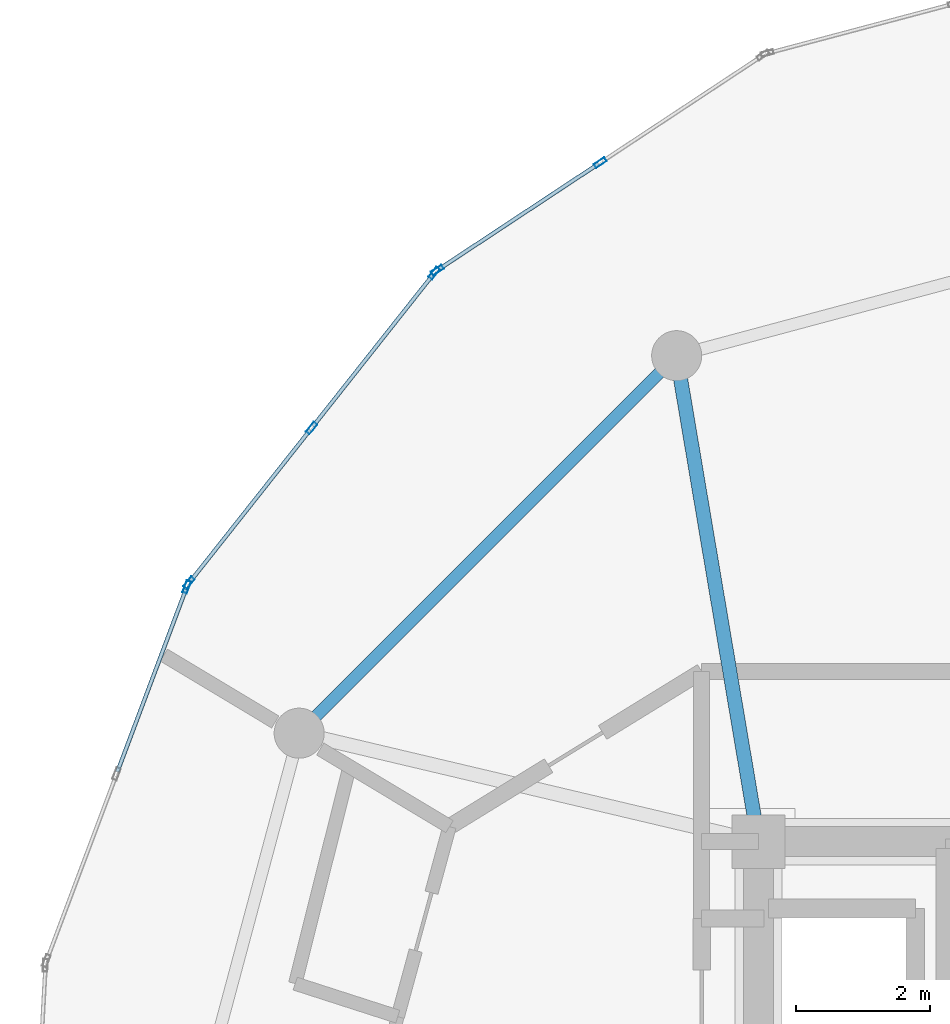
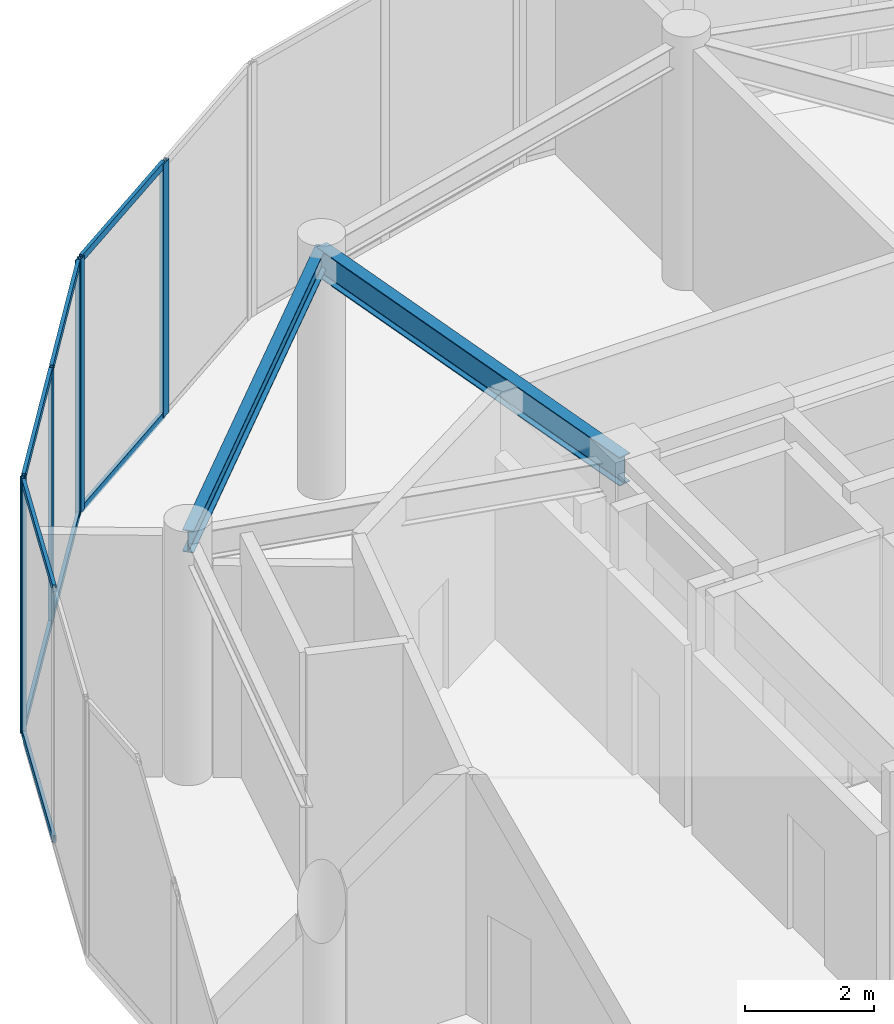
# One storey, part 11 of 21: 14 members, 2 beams, 3 elements without a shape of their own.
"""IFC4 building model written with IfcOpenShell, lengths in metres."""

import ifcopenshell
import ifcopenshell.guid

model = None  # the IFC model being written
_history = None  # IfcOwnerHistory: only IFC2X3 demands one
_inside = {}  # id of a spatial element -> (the spatial element, [elements in it])
_under = {}  # id of a project, library or spatial element -> (it, [spatial elements below it])
_declared = {}  # id of a project -> (the project, [libraries it declares])
_typed = {}  # id of a type object -> (the type object, [elements of that type])
_made_of = {}  # id of a material, layer set ... -> (it, [elements and type objects made of it])


def new_model(schema):
    """Start an empty IFC model of exactly this schema.

    Asked for "IFC4X3", IfcOpenShell would pick the latest addendum, in which some entities
    have other attributes; the version numbers below select the first issue.
    IFC2X3 requires an IfcOwnerHistory on every rooted entity: one is made here for all.
    """
    global model, _history
    if schema == "IFC4X3":
        model = ifcopenshell.file(schema_version=(4, 3, 0, 0))
    else:
        model = ifcopenshell.file(schema=schema)
    _inside.clear()
    _under.clear()
    _declared.clear()
    _typed.clear()
    _made_of.clear()
    _history = None
    if model.schema == "IFC2X3":
        org = make("IfcOrganization", Name="unknown")
        user = make(
            "IfcPersonAndOrganization",
            ThePerson=make("IfcPerson", FamilyName="unknown"),
            TheOrganization=org,
        )
        app = make(
            "IfcApplication",
            ApplicationDeveloper=org,
            Version="unknown",
            ApplicationFullName="unknown",
            ApplicationIdentifier="unknown",
        )
        _history = make(
            "IfcOwnerHistory",
            OwningUser=user,
            OwningApplication=app,
            ChangeAction="ADDED",
            CreationDate=0,
        )
    return model


def make(cls, **values):
    """One entity of the class cls with the attributes given. An attribute that is None is left unset."""
    return model.create_entity(
        cls, **{name: value for name, value in values.items() if value is not None}
    )


def rooted(cls, **values):
    """An entity with a GlobalId (a new one), such as an element, a storey or a relation."""
    return make(cls, GlobalId=ifcopenshell.guid.new(), OwnerHistory=_history, **values)


def si_unit(unit_type, name, prefix=None):
    """IfcSIUnit, for example si_unit("LENGTHUNIT", "METRE", prefix="MILLI")."""
    return make("IfcSIUnit", UnitType=unit_type, Prefix=prefix, Name=name)


def assignment(units):
    """IfcUnitAssignment: the units of a project."""
    return None if units is None else make("IfcUnitAssignment", Units=units)


def point(xyz):
    """IfcCartesianPoint."""
    return None if xyz is None else make("IfcCartesianPoint", Coordinates=xyz)


def direction(xyz):
    """IfcDirection."""
    return None if xyz is None else make("IfcDirection", DirectionRatios=xyz)


def frame(location, z_axis=None, x_axis=None):
    """IfcAxis2Placement3D, a coordinate frame: its origin and axes. An axis left out is left unset."""
    return make(
        "IfcAxis2Placement3D",
        Location=point(location),
        Axis=direction(z_axis),
        RefDirection=direction(x_axis),
    )


def frame_2d(location, x_axis=None):
    """IfcAxis2Placement2D, a coordinate frame in the plane: its origin and x axis."""
    return make(
        "IfcAxis2Placement2D", Location=point(location), RefDirection=direction(x_axis)
    )


def origin():
    """The frame at (0, 0, 0) with its axes left unset."""
    return frame((0.0, 0.0, 0.0))


def origin_2d():
    """The frame at (0, 0) in the plane with its x axis left unset."""
    return frame_2d((0.0, 0.0))


def place(relative_to, where):
    """IfcLocalPlacement: puts the frame where relative to a parent placement (None: the world)."""
    return make(
        "IfcLocalPlacement", PlacementRelTo=relative_to, RelativePlacement=where
    )


def context(
    kind, dimensions, precision=None, world=None, true_north=None, identifier=None
):
    """IfcGeometricRepresentationContext, for example the 3D "Model" context."""
    return make(
        "IfcGeometricRepresentationContext",
        ContextIdentifier=identifier,
        ContextType=kind,
        CoordinateSpaceDimension=dimensions,
        Precision=precision,
        WorldCoordinateSystem=world,
        TrueNorth=true_north,
    )


def subcontext(parent, identifier, kind, view, scale=None):
    """IfcGeometricRepresentationSubContext, for example "Body" below "Model"."""
    return make(
        "IfcGeometricRepresentationSubContext",
        ContextIdentifier=identifier,
        ContextType=kind,
        ParentContext=parent,
        TargetScale=scale,
        TargetView=view,
    )


def project(units=None, contexts=None):
    """IfcProject with its units and contexts."""
    return rooted(
        "IfcProject",
        Name="project",
        RepresentationContexts=contexts,
        UnitsInContext=assignment(units),
    )


def spatial(cls, under=None, at=None, **own):
    """A site, building, storey or space (cls), placed at a placement, below another one or the project."""
    s = rooted(cls, ObjectPlacement=at, **own)
    if under is not None:
        _under.setdefault(under.id(), (under, []))[1].append(s)
    return s


def profile(cls, at=None, kind="AREA", **sizes):
    """A parametric profile (cls). Its sizes go by their IFC names, for example OverallWidth=200.0."""
    return make(cls, ProfileType=kind, Position=at, **sizes)


def hollow_rectangle(**sizes):
    """IfcRectangleHollowProfileDef."""
    return profile("IfcRectangleHollowProfileDef", **sizes)


def i_section(**sizes):
    """IfcIShapeProfileDef."""
    return profile("IfcIShapeProfileDef", **sizes)


def extrude(swept, where, along, depth):
    """IfcExtrudedAreaSolid: the profile swept, set in the frame where, extruded along a direction by depth."""
    return make(
        "IfcExtrudedAreaSolid",
        SweptArea=swept,
        Position=where,
        ExtrudedDirection=direction(along),
        Depth=depth,
    )


def shape(context_of_items, identifier, shape_type, items):
    """IfcShapeRepresentation: the items that make up one representation, for example the "Body"."""
    return make(
        "IfcShapeRepresentation",
        ContextOfItems=context_of_items,
        RepresentationIdentifier=identifier,
        RepresentationType=shape_type,
        Items=items,
    )


def source(mapping_origin, context_of_items, identifier, shape_type, items):
    """IfcRepresentationMap: a shape defined once, which mapped items show again and again."""
    return make(
        "IfcRepresentationMap",
        MappingOrigin=mapping_origin,
        MappedRepresentation=shape(context_of_items, identifier, shape_type, items),
    )


def transform(
    local_origin,
    x_axis=None,
    y_axis=None,
    z_axis=None,
    scale=None,
    scale2=None,
    scale3=None,
    uniform=True,
):
    """IfcCartesianTransformationOperator3D, or its non-uniform kind. x_axis, y_axis, z_axis: its Axis1, 2, 3."""
    if uniform:
        return make(
            "IfcCartesianTransformationOperator3D",
            Axis1=direction(x_axis),
            Axis2=direction(y_axis),
            LocalOrigin=point(local_origin),
            Scale=scale,
            Axis3=direction(z_axis),
        )
    return make(
        "IfcCartesianTransformationOperator3DnonUniform",
        Axis1=direction(x_axis),
        Axis2=direction(y_axis),
        LocalOrigin=point(local_origin),
        Scale=scale,
        Axis3=direction(z_axis),
        Scale2=scale2,
        Scale3=scale3,
    )


def mapped(mapping_source, mapping_target):
    """IfcMappedItem: shows the shape of a source again, moved by a transform."""
    return make(
        "IfcMappedItem", MappingSource=mapping_source, MappingTarget=mapping_target
    )


def material(Name=None, Category=None):
    """IfcMaterial."""
    return make("IfcMaterial", Name=Name, Category=Category)


def layer(
    of_material, thickness, ventilated=None, Name=None, Category=None, Priority=None
):
    """IfcMaterialLayer: one layer of a wall or slab, of a material (None: an air gap)."""
    return make(
        "IfcMaterialLayer",
        Material=of_material,
        LayerThickness=thickness,
        IsVentilated=ventilated,
        Name=Name,
        Category=Category,
        Priority=Priority,
    )


def layer_set(layers, Name=None):
    """IfcMaterialLayerSet."""
    return make("IfcMaterialLayerSet", MaterialLayers=layers, LayerSetName=Name)


def material_profile(
    of_material, cross_section, Name=None, Category=None, Priority=None
):
    """IfcMaterialProfile: a cross section and its material."""
    return make(
        "IfcMaterialProfile",
        Name=Name,
        Material=of_material,
        Profile=cross_section,
        Priority=Priority,
        Category=Category,
    )


def profile_set(profiles, Name=None, composite=None):
    """IfcMaterialProfileSet."""
    return make(
        "IfcMaterialProfileSet",
        Name=Name,
        MaterialProfiles=profiles,
        CompositeProfile=composite,
    )


def made_of(thing, what):
    """Note that an element or type object is made of a material, layer set ...; save() writes the relation."""
    if what is not None:
        _made_of.setdefault(what.id(), (what, []))[1].append(thing)
    return thing


def type_object(cls, material=None, **own):
    """A type object (cls), such as IfcWallType, which elements share."""
    return made_of(rooted(cls, **own), material)


def element(
    cls,
    number,
    at=None,
    inside=None,
    cuts=None,
    type_object=None,
    material=None,
    context=None,
    identifier="Body",
    shape_type=None,
    held_by="IfcProductDefinitionShape",
    body=None,
    shapes=None,
    **own,
):
    """One element of the class cls, such as IfcWall. Its Tag is "e" and its number.

    at: its placement. inside: the storey or other place that contains it. cuts: it is an
    opening in that element (IfcRelVoidsElement). A single representation is given by context,
    identifier, shape_type and body (its items); several are given by shapes. held_by: the class
    of the entity that holds the representations. save() writes the other relations.
    """
    e = rooted(cls, Tag="e%d" % number, ObjectPlacement=at, **own)
    if body is not None:
        shapes = [shape(context, identifier, shape_type, body)]
    if shapes is not None:
        e.Representation = make(held_by, Representations=shapes)
    if inside is not None:
        _inside.setdefault(inside.id(), (inside, []))[1].append(e)
    if cuts is not None:
        rooted(
            "IfcRelVoidsElement", RelatingBuildingElement=cuts, RelatedOpeningElement=e
        )
    if type_object is not None:
        _typed.setdefault(type_object.id(), (type_object, []))[1].append(e)
    return made_of(e, material)


def aggregate(whole, parts):
    """IfcRelAggregates: a whole, such as a stair, and the parts it consists of."""
    return rooted("IfcRelAggregates", RelatingObject=whole, RelatedObjects=parts)


def save(model, path):
    """Write the relations noted so far, then the file.

    IfcRelAggregates (storeys below a building ...), IfcRelContainedInSpatialStructure (elements
    in a storey), IfcRelDefinesByType, IfcRelAssociatesMaterial and IfcRelDeclares: one each for
    every whole, place, type object, material and project.
    """
    for whole, parts in _under.values():
        aggregate(whole, parts)
    for where, things in _inside.values():
        rooted(
            "IfcRelContainedInSpatialStructure",
            RelatedElements=things,
            RelatingStructure=where,
        )
    for kind, things in _typed.values():
        rooted("IfcRelDefinesByType", RelatedObjects=things, RelatingType=kind)
    for what, things in _made_of.values():
        rooted("IfcRelAssociatesMaterial", RelatedObjects=things, RelatingMaterial=what)
    for by, libraries in _declared.values():
        rooted("IfcRelDeclares", RelatingContext=by, RelatedDefinitions=libraries)
    model.write(path)


model = new_model("IFC4")

# Units and contexts
model_context = context("Model", 3, precision=1e-05, world=origin(), true_north=direction((0.0, 1.0)))
body_context = subcontext(model_context, "Body", "Model", "MODEL_VIEW")
ifc_project = project(units=[si_unit("LENGTHUNIT", "METRE"), si_unit("AREAUNIT", "SQUARE_METRE"), si_unit("VOLUMEUNIT", "CUBIC_METRE"), si_unit("PLANEANGLEUNIT", "RADIAN"), si_unit("MASSUNIT", "GRAM", prefix="KILO")], contexts=[model_context])

# Site, building, storey
site_placement = place(None, origin())
site = spatial("IfcSite", under=ifc_project, at=site_placement, CompositionType="ELEMENT")
building_placement = place(site_placement, origin())
building = spatial("IfcBuilding", under=site, at=building_placement, Name="Solvirekh Grand Hotel", CompositionType="ELEMENT")
storey_placement = place(building_placement, frame((0.0, 0.0, 262.0)))
storey = spatial("IfcBuildingStorey", under=building, at=storey_placement, Name="L68", CompositionType="ELEMENT", Elevation=262.0)

# Beams
ifc_material_1 = material(Name="Steel S355", Category="steel")
ifc_material_profile_1 = material_profile(ifc_material_1, i_section(OverallWidth=0.2119140625, OverallDepth=0.5439453125, WebThickness=0.011962890625, FlangeThickness=0.01904296875, FilletRadius=0.013916015625, at=origin_2d()), Name="W530X123")
ifc_profile_set_1 = profile_set([ifc_material_profile_1], Name="Steel S355")
beam_type_1 = type_object("IfcBeamType", Name="Beam_Radial_W530H", PredefinedType="BEAM", material=ifc_profile_set_1)
beam_1_placement = place(storey_placement, frame((-6.5, 6.10009765625, 4.298095703125), z_axis=(-0.165954049106, 0.986133486697, 0.0), x_axis=(-0.986133486697, -0.165954049106, 0.0)))
element("IfcBeam", 1, at=beam_1_placement, inside=storey, type_object=beam_type_1, Name="L68 radial floor beam R05", PredefinedType="BEAM", context=body_context, shape_type="SweptSolid", body=[
    extrude(i_section(OverallWidth=0.2119140625, OverallDepth=0.5439453125, WebThickness=0.011962890625, FlangeThickness=0.01904296875, FilletRadius=0.013916015625, at=origin_2d()), origin(), (0.0, 0.0, 1.0), 7.382080078125),
])
ifc_material_profile_2 = material_profile(ifc_material_1, i_section(OverallWidth=0.180908203125, OverallDepth=0.4169921875, WebThickness=0.010009765625, FlangeThickness=0.01611328125, FilletRadius=0.011962890625, at=origin_2d()), Name="W410X85")
ifc_profile_set_2 = profile_set([ifc_material_profile_2], Name="Steel S355")
beam_type_2 = type_object("IfcBeamType", Name="Spandrel_Ring_W410", PredefinedType="SPANDREL", material=ifc_profile_set_2)
beam_2_placement = place(storey_placement, frame((-7.72509765625, 13.3798828125, 4.361083984375), z_axis=(-0.707106781187, -0.707106781187, 0.0), x_axis=(0.707106781187, -0.707106781187, 0.0)))
element("IfcBeam", 2, at=beam_2_placement, inside=storey, type_object=beam_type_2, Name="L68 perimeter spandrel beam 5", PredefinedType="SPANDREL", context=body_context, shape_type="SweptSolid", body=[
    extrude(i_section(OverallWidth=0.180908203125, OverallDepth=0.4169921875, WebThickness=0.010009765625, FlangeThickness=0.01611328125, FilletRadius=0.011962890625, at=origin_2d()), origin(), (0.0, 0.0, 1.0), 7.9970703125),
])

# Curtain wall, members
ifc_material_2 = material(Name="Anodized Bronze Aluminium 6063-T6", Category="aluminium")
ifc_layer = layer(ifc_material_2, 0.18994140625)
ifc_layer_set = layer_set([ifc_layer], Name="Anodized Bronze Aluminium 6063-T6")
curtain_wall_type = type_object("IfcCurtainWallType", Name="CW_Sys5_SkyLobbyPanoramaCW", PredefinedType="NOTDEFINED", material=ifc_layer_set)
curtain_wall_1_placement = place(storey_placement, origin())
curtain_wall_1 = element("IfcCurtainWall", 3, at=curtain_wall_1_placement, inside=storey, type_object=curtain_wall_type, Name="L68 unitised bronze-glass curtain wall CW-L68-C12", PredefinedType="NOTDEFINED")
ifc_material_profile_3 = material_profile(ifc_material_2, hollow_rectangle(XDim=0.070068359375, YDim=0.18994140625, WallThickness=0.0048828125, at=origin_2d()), Name="ALU RHS 190X70X5")
ifc_profile_set_3 = profile_set([ifc_material_profile_3], Name="Anodized Bronze Aluminium 6063-T6")
member_type_1 = type_object("IfcMemberType", Name="CWMullion_Sys5", PredefinedType="MULLION", material=ifc_profile_set_3)
shared_shape_1 = source(origin(), body_context, "Body", "SweptSolid", [
    extrude(hollow_rectangle(XDim=0.070068359375, YDim=0.18994140625, WallThickness=0.0048828125, at=origin_2d()), origin(), (0.0, 0.0, 1.0), 4.800048828125),
])
member_1_placement = place(storey_placement, frame((-8.868896484375, 16.2724609375, 0.0), z_axis=(0.0, 0.0, 1.0), x_axis=(0.550988231285, -0.834513013071, 0.0)))
member_1 = element("IfcMember", 4, at=member_1_placement, type_object=member_type_1, Name="U05 mullion 2", PredefinedType="MULLION", context=body_context, shape_type="MappedRepresentation", body=[
    mapped(shared_shape_1, transform((0.0, 0.0, 0.0), x_axis=(1.0, 0.0, 0.0), y_axis=(0.0, 1.0, 0.0), z_axis=(0.0, 0.0, 1.0), scale=1.0)),
])
member_2_placement = place(storey_placement, frame((-11.307861328125, 14.662353515625, 0.0), z_axis=(0.0, 0.0, 1.0), x_axis=(0.550988231285, -0.834513013071, 0.0)))
member_2 = element("IfcMember", 5, at=member_2_placement, type_object=member_type_1, Name="U05 mullion 3", PredefinedType="MULLION", context=body_context, shape_type="MappedRepresentation", body=[
    mapped(shared_shape_1, transform((0.0, 0.0, 0.0), x_axis=(1.0, 0.0, 0.0), y_axis=(0.0, 1.0, 0.0), z_axis=(0.0, 0.0, 1.0), scale=1.0)),
])

curtain_wall_2_placement = place(storey_placement, origin())
curtain_wall_2 = element("IfcCurtainWall", 6, at=curtain_wall_2_placement, inside=storey, type_object=curtain_wall_type, Name="L68 unitised bronze-glass curtain wall CW-L68-C13", PredefinedType="NOTDEFINED")
member_3_placement = place(storey_placement, frame((-11.358642578125, 14.615478515625, 0.0), z_axis=(0.0, 0.0, 1.0), x_axis=(0.784215180751, -0.620488960643, 0.0)))
member_3 = element("IfcMember", 7, at=member_3_placement, type_object=member_type_1, Name="U05 mullion 1", PredefinedType="MULLION", context=body_context, shape_type="MappedRepresentation", body=[
    mapped(shared_shape_1, transform((0.0, 0.0, 0.0), x_axis=(1.0, 0.0, 0.0), y_axis=(0.0, 1.0, 0.0), z_axis=(0.0, 0.0, 1.0), scale=1.0)),
])
member_4_placement = place(storey_placement, frame((-13.194091796875, 12.2958984375, 0.0), z_axis=(0.0, 0.0, 1.0), x_axis=(0.784215180751, -0.620488960643, 0.0)))
member_4 = element("IfcMember", 8, at=member_4_placement, type_object=member_type_1, Name="U05 mullion 2", PredefinedType="MULLION", context=body_context, shape_type="MappedRepresentation", body=[
    mapped(shared_shape_1, transform((0.0, 0.0, 0.0), x_axis=(1.0, 0.0, 0.0), y_axis=(0.0, 1.0, 0.0), z_axis=(0.0, 0.0, 1.0), scale=1.0)),
])
member_5_placement = place(storey_placement, frame((-15.029296875, 9.9765625, 0.0), z_axis=(0.0, 0.0, 1.0), x_axis=(0.784215180751, -0.620488960643, 0.0)))
member_5 = element("IfcMember", 9, at=member_5_placement, type_object=member_type_1, Name="U05 mullion 3", PredefinedType="MULLION", context=body_context, shape_type="MappedRepresentation", body=[
    mapped(shared_shape_1, transform((0.0, 0.0, 0.0), x_axis=(1.0, 0.0, 0.0), y_axis=(0.0, 1.0, 0.0), z_axis=(0.0, 0.0, 1.0), scale=1.0)),
])

# Curtain wall, member
curtain_wall_3_placement = place(storey_placement, origin())
curtain_wall_3 = element("IfcCurtainWall", 10, at=curtain_wall_3_placement, inside=storey, type_object=curtain_wall_type, Name="L68 unitised bronze-glass curtain wall CW-L68-C14", PredefinedType="NOTDEFINED")
member_6_placement = place(storey_placement, frame((-15.063232421875, 9.916259765625, 0.0), z_axis=(0.0, 0.0, 1.0), x_axis=(0.936152519764, -0.351594169093, 0.0)))
member_6 = element("IfcMember", 11, at=member_6_placement, type_object=member_type_1, Name="U05 mullion 1", PredefinedType="MULLION", context=body_context, shape_type="MappedRepresentation", body=[
    mapped(shared_shape_1, transform((0.0, 0.0, 0.0), x_axis=(1.0, 0.0, 0.0), y_axis=(0.0, 1.0, 0.0), z_axis=(0.0, 0.0, 1.0), scale=1.0)),
])

# Member
ifc_material_profile_4 = material_profile(ifc_material_2, hollow_rectangle(XDim=0.06005859375, YDim=0.135009765625, WallThickness=0.00390625, at=origin_2d()), Name="ALU RHS 135X60X4")
ifc_profile_set_4 = profile_set([ifc_material_profile_4], Name="Anodized Bronze Aluminium 6063-T6")
member_type_2 = type_object("IfcMemberType", Name="CWTransom_Sys5", PredefinedType="USERDEFINED", material=ifc_profile_set_4)
shared_shape_2 = source(origin(), body_context, "Body", "SweptSolid", [
    extrude(hollow_rectangle(XDim=0.06005859375, YDim=0.135009765625, WallThickness=0.00390625, at=origin_2d()), origin(), (0.0, 0.0, 1.0), 2.852294921875),
])
member_7_placement = place(storey_placement, frame((-8.898193359375, 16.253173828125, 0.030029296875), z_axis=(-0.834530697418, -0.55096144608, 0.0), x_axis=(0.55096144608, -0.834530697418, 0.0)))
member_7 = element("IfcMember", 12, at=member_7_placement, type_object=member_type_2, Name="U05 transom 2.1", ObjectType="TRANSOM", PredefinedType="USERDEFINED", context=body_context, shape_type="MappedRepresentation", body=[
    mapped(shared_shape_2, transform((0.0, 0.0, 0.0), x_axis=(1.0, 0.0, 0.0), y_axis=(0.0, 1.0, 0.0), z_axis=(0.0, 0.0, 1.0), scale=1.0)),
])

member_8_placement = place(storey_placement, frame((-8.898193359375, 16.253173828125, 4.77001953125), z_axis=(-0.834530697418, -0.55096144608, 0.0), x_axis=(0.55096144608, -0.834530697418, 0.0)))
member_8 = element("IfcMember", 13, at=member_8_placement, type_object=member_type_2, Name="U05 transom 2.2", ObjectType="TRANSOM", PredefinedType="USERDEFINED", context=body_context, shape_type="MappedRepresentation", body=[
    mapped(shared_shape_2, transform((0.0, 0.0, 0.0), x_axis=(1.0, 0.0, 0.0), y_axis=(0.0, 1.0, 0.0), z_axis=(0.0, 0.0, 1.0), scale=1.0)),
])

aggregate(curtain_wall_1, [member_1, member_2, member_7, member_8])

shared_shape_3 = source(origin(), body_context, "Body", "SweptSolid", [
    extrude(hollow_rectangle(XDim=0.06005859375, YDim=0.135009765625, WallThickness=0.00390625, at=origin_2d()), origin(), (0.0, 0.0, 1.0), 2.8876953125),
])
member_9_placement = place(storey_placement, frame((-13.2158203125, 12.2685546875, 0.030029296875), z_axis=(-0.620469044532, -0.784230938422, 0.0), x_axis=(0.784230938422, -0.620469044532, 0.0)))
member_9 = element("IfcMember", 14, at=member_9_placement, type_object=member_type_2, Name="U05 transom 2.1", ObjectType="TRANSOM", PredefinedType="USERDEFINED", context=body_context, shape_type="MappedRepresentation", body=[
    mapped(shared_shape_3, transform((0.0, 0.0, 0.0), x_axis=(1.0, 0.0, 0.0), y_axis=(0.0, 1.0, 0.0), z_axis=(0.0, 0.0, 1.0), scale=1.0)),
])

member_10_placement = place(storey_placement, frame((-13.2158203125, 12.2685546875, 4.77001953125), z_axis=(-0.620469044532, -0.784230938422, 0.0), x_axis=(0.784230938422, -0.620469044532, 0.0)))
member_10 = element("IfcMember", 15, at=member_10_placement, type_object=member_type_2, Name="U05 transom 2.2", ObjectType="TRANSOM", PredefinedType="USERDEFINED", context=body_context, shape_type="MappedRepresentation", body=[
    mapped(shared_shape_3, transform((0.0, 0.0, 0.0), x_axis=(1.0, 0.0, 0.0), y_axis=(0.0, 1.0, 0.0), z_axis=(0.0, 0.0, 1.0), scale=1.0)),
])

shared_shape_4 = source(origin(), body_context, "Body", "SweptSolid", [
    extrude(hollow_rectangle(XDim=0.06005859375, YDim=0.135009765625, WallThickness=0.00390625, at=origin_2d()), origin(), (0.0, 0.0, 1.0), 2.887939453125),
])
member_11_placement = place(storey_placement, frame((-11.38037109375, 14.588134765625, 0.030029296875), z_axis=(-0.620521036589, -0.784189800463, 0.0), x_axis=(0.784189800463, -0.620521036589, 0.0)))
member_11 = element("IfcMember", 16, at=member_11_placement, type_object=member_type_2, Name="U05 transom 1.1", ObjectType="TRANSOM", PredefinedType="USERDEFINED", context=body_context, shape_type="MappedRepresentation", body=[
    mapped(shared_shape_4, transform((0.0, 0.0, 0.0), x_axis=(1.0, 0.0, 0.0), y_axis=(0.0, 1.0, 0.0), z_axis=(0.0, 0.0, 1.0), scale=1.0)),
])

member_12_placement = place(storey_placement, frame((-11.38037109375, 14.588134765625, 4.77001953125), z_axis=(-0.620521036589, -0.784189800463, 0.0), x_axis=(0.784189800463, -0.620521036589, 0.0)))
member_12 = element("IfcMember", 17, at=member_12_placement, type_object=member_type_2, Name="U05 transom 1.2", ObjectType="TRANSOM", PredefinedType="USERDEFINED", context=body_context, shape_type="MappedRepresentation", body=[
    mapped(shared_shape_4, transform((0.0, 0.0, 0.0), x_axis=(1.0, 0.0, 0.0), y_axis=(0.0, 1.0, 0.0), z_axis=(0.0, 0.0, 1.0), scale=1.0)),
])

aggregate(curtain_wall_2, [member_3, member_4, member_5, member_11, member_12, member_9, member_10])

shared_shape_5 = source(origin(), body_context, "Body", "SweptSolid", [
    extrude(hollow_rectangle(XDim=0.06005859375, YDim=0.135009765625, WallThickness=0.00390625, at=origin_2d()), origin(), (0.0, 0.0, 1.0), 2.92138671875),
])
member_13_placement = place(storey_placement, frame((-15.07568359375, 9.883544921875, 0.030029296875), z_axis=(-0.351581320441, -0.936157345277, 0.0), x_axis=(0.936157345277, -0.351581320441, 0.0)))
member_13 = element("IfcMember", 18, at=member_13_placement, type_object=member_type_2, Name="U05 transom 1.1", ObjectType="TRANSOM", PredefinedType="USERDEFINED", context=body_context, shape_type="MappedRepresentation", body=[
    mapped(shared_shape_5, transform((0.0, 0.0, 0.0), x_axis=(1.0, 0.0, 0.0), y_axis=(0.0, 1.0, 0.0), z_axis=(0.0, 0.0, 1.0), scale=1.0)),
])

member_14_placement = place(storey_placement, frame((-15.07568359375, 9.883544921875, 4.77001953125), z_axis=(-0.351581320441, -0.936157345277, 0.0), x_axis=(0.936157345277, -0.351581320441, 0.0)))
member_14 = element("IfcMember", 19, at=member_14_placement, type_object=member_type_2, Name="U05 transom 1.2", ObjectType="TRANSOM", PredefinedType="USERDEFINED", context=body_context, shape_type="MappedRepresentation", body=[
    mapped(shared_shape_5, transform((0.0, 0.0, 0.0), x_axis=(1.0, 0.0, 0.0), y_axis=(0.0, 1.0, 0.0), z_axis=(0.0, 0.0, 1.0), scale=1.0)),
])

aggregate(curtain_wall_3, [member_6, member_13, member_14])

save(model, "model.ifc")
